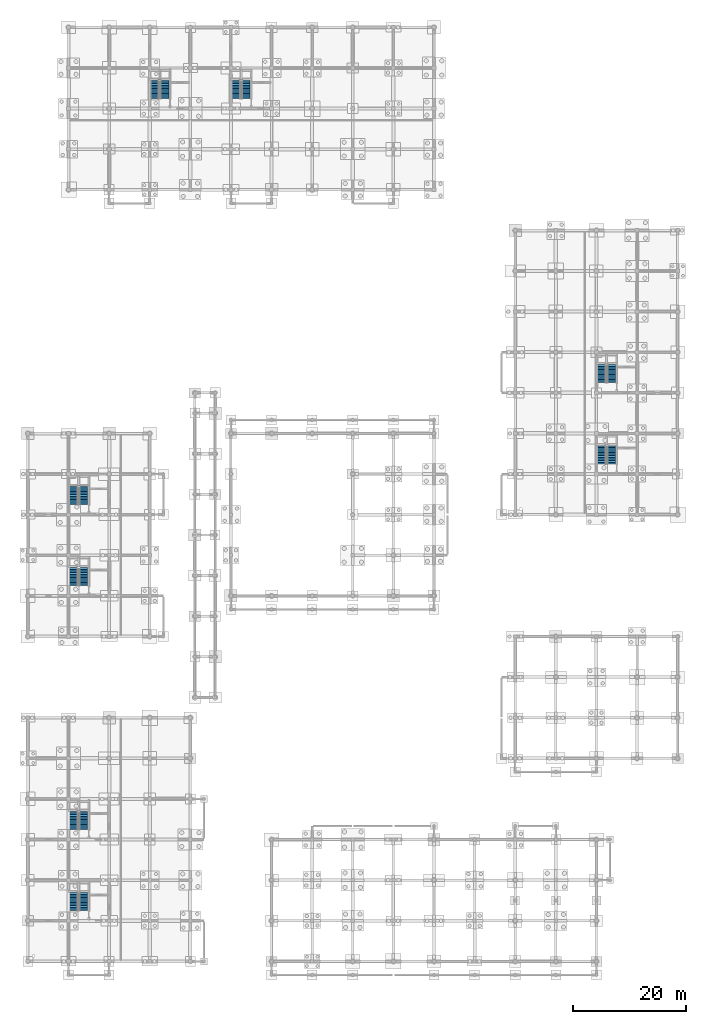
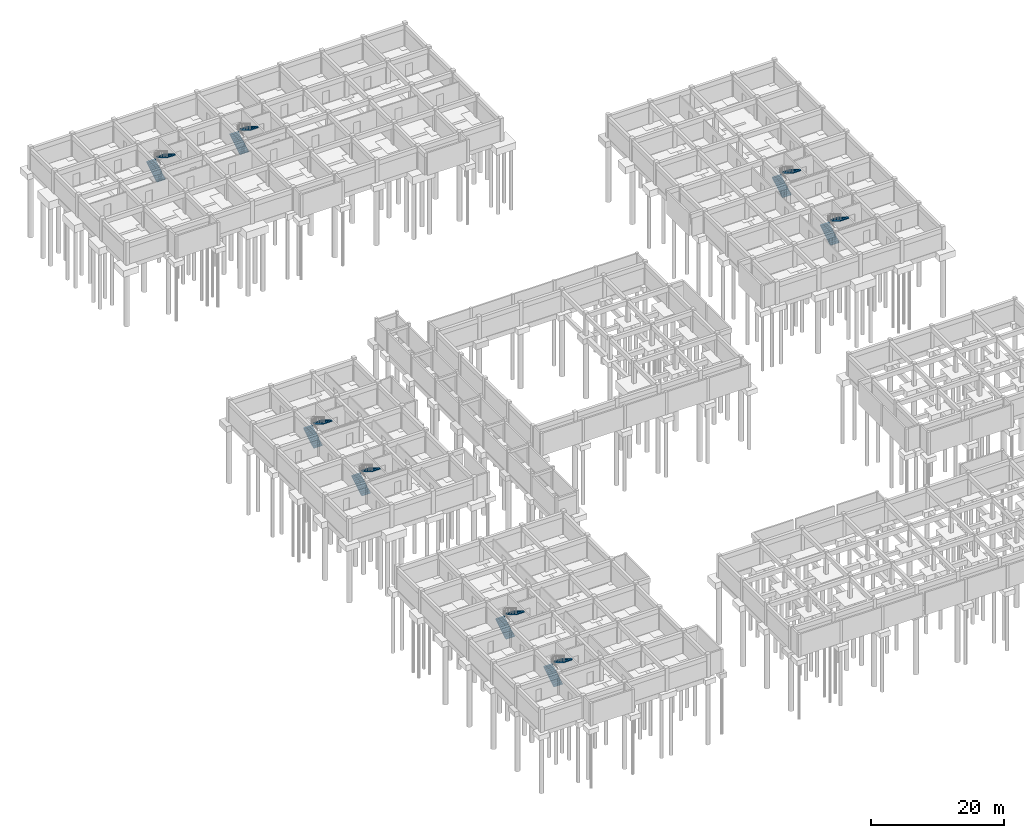
# One storey, part 34 of 38: 16 stair flights, 8 elements without a shape of their own.
"""IFC4 building model written with IfcOpenShell, lengths in metres."""

import ifcopenshell
import ifcopenshell.guid

model = None  # the IFC model being written
_history = None  # IfcOwnerHistory: only IFC2X3 demands one
_inside = {}  # id of a spatial element -> (the spatial element, [elements in it])
_under = {}  # id of a project, library or spatial element -> (it, [spatial elements below it])
_declared = {}  # id of a project -> (the project, [libraries it declares])
_typed = {}  # id of a type object -> (the type object, [elements of that type])
_made_of = {}  # id of a material, layer set ... -> (it, [elements and type objects made of it])


def new_model(schema):
    """Start an empty IFC model of exactly this schema.

    Asked for "IFC4X3", IfcOpenShell would pick the latest addendum, in which some entities
    have other attributes; the version numbers below select the first issue.
    IFC2X3 requires an IfcOwnerHistory on every rooted entity: one is made here for all.
    """
    global model, _history
    if schema == "IFC4X3":
        model = ifcopenshell.file(schema_version=(4, 3, 0, 0))
    else:
        model = ifcopenshell.file(schema=schema)
    _inside.clear()
    _under.clear()
    _declared.clear()
    _typed.clear()
    _made_of.clear()
    _history = None
    if model.schema == "IFC2X3":
        org = make("IfcOrganization", Name="unknown")
        user = make(
            "IfcPersonAndOrganization",
            ThePerson=make("IfcPerson", FamilyName="unknown"),
            TheOrganization=org,
        )
        app = make(
            "IfcApplication",
            ApplicationDeveloper=org,
            Version="unknown",
            ApplicationFullName="unknown",
            ApplicationIdentifier="unknown",
        )
        _history = make(
            "IfcOwnerHistory",
            OwningUser=user,
            OwningApplication=app,
            ChangeAction="ADDED",
            CreationDate=0,
        )
    return model


def make(cls, **values):
    """One entity of the class cls with the attributes given. An attribute that is None is left unset."""
    return model.create_entity(
        cls, **{name: value for name, value in values.items() if value is not None}
    )


def rooted(cls, **values):
    """An entity with a GlobalId (a new one), such as an element, a storey or a relation."""
    return make(cls, GlobalId=ifcopenshell.guid.new(), OwnerHistory=_history, **values)


def si_unit(unit_type, name, prefix=None):
    """IfcSIUnit, for example si_unit("LENGTHUNIT", "METRE", prefix="MILLI")."""
    return make("IfcSIUnit", UnitType=unit_type, Prefix=prefix, Name=name)


def assignment(units):
    """IfcUnitAssignment: the units of a project."""
    return None if units is None else make("IfcUnitAssignment", Units=units)


def point(xyz):
    """IfcCartesianPoint."""
    return None if xyz is None else make("IfcCartesianPoint", Coordinates=xyz)


def direction(xyz):
    """IfcDirection."""
    return None if xyz is None else make("IfcDirection", DirectionRatios=xyz)


def frame(location, z_axis=None, x_axis=None):
    """IfcAxis2Placement3D, a coordinate frame: its origin and axes. An axis left out is left unset."""
    return make(
        "IfcAxis2Placement3D",
        Location=point(location),
        Axis=direction(z_axis),
        RefDirection=direction(x_axis),
    )


def origin():
    """The frame at (0, 0, 0) with its axes left unset."""
    return frame((0.0, 0.0, 0.0))


def place(relative_to, where):
    """IfcLocalPlacement: puts the frame where relative to a parent placement (None: the world)."""
    return make(
        "IfcLocalPlacement", PlacementRelTo=relative_to, RelativePlacement=where
    )


def context(
    kind, dimensions, precision=None, world=None, true_north=None, identifier=None
):
    """IfcGeometricRepresentationContext, for example the 3D "Model" context."""
    return make(
        "IfcGeometricRepresentationContext",
        ContextIdentifier=identifier,
        ContextType=kind,
        CoordinateSpaceDimension=dimensions,
        Precision=precision,
        WorldCoordinateSystem=world,
        TrueNorth=true_north,
    )


def subcontext(parent, identifier, kind, view, scale=None):
    """IfcGeometricRepresentationSubContext, for example "Body" below "Model"."""
    return make(
        "IfcGeometricRepresentationSubContext",
        ContextIdentifier=identifier,
        ContextType=kind,
        ParentContext=parent,
        TargetScale=scale,
        TargetView=view,
    )


def project(units=None, contexts=None):
    """IfcProject with its units and contexts."""
    return rooted(
        "IfcProject",
        Name="project",
        RepresentationContexts=contexts,
        UnitsInContext=assignment(units),
    )


def spatial(cls, under=None, at=None, **own):
    """A site, building, storey or space (cls), placed at a placement, below another one or the project."""
    s = rooted(cls, ObjectPlacement=at, **own)
    if under is not None:
        _under.setdefault(under.id(), (under, []))[1].append(s)
    return s


def polyline(points):
    """IfcPolyline through the points."""
    return make("IfcPolyline", Points=[point(p) for p in points])


def outline(outer, holes=None, kind="AREA"):
    """IfcArbitraryClosedProfileDef: a profile drawn as a closed curve; with holes, ...WithVoids."""
    if holes is None:
        return make("IfcArbitraryClosedProfileDef", ProfileType=kind, OuterCurve=outer)
    return make(
        "IfcArbitraryProfileDefWithVoids",
        ProfileType=kind,
        OuterCurve=outer,
        InnerCurves=holes,
    )


def extrude(swept, where, along, depth):
    """IfcExtrudedAreaSolid: the profile swept, set in the frame where, extruded along a direction by depth."""
    return make(
        "IfcExtrudedAreaSolid",
        SweptArea=swept,
        Position=where,
        ExtrudedDirection=direction(along),
        Depth=depth,
    )


def shape(context_of_items, identifier, shape_type, items):
    """IfcShapeRepresentation: the items that make up one representation, for example the "Body"."""
    return make(
        "IfcShapeRepresentation",
        ContextOfItems=context_of_items,
        RepresentationIdentifier=identifier,
        RepresentationType=shape_type,
        Items=items,
    )


def material(Name=None, Category=None):
    """IfcMaterial."""
    return make("IfcMaterial", Name=Name, Category=Category)


def made_of(thing, what):
    """Note that an element or type object is made of a material, layer set ...; save() writes the relation."""
    if what is not None:
        _made_of.setdefault(what.id(), (what, []))[1].append(thing)
    return thing


def type_object(cls, material=None, **own):
    """A type object (cls), such as IfcWallType, which elements share."""
    return made_of(rooted(cls, **own), material)


def element(
    cls,
    number,
    at=None,
    inside=None,
    cuts=None,
    type_object=None,
    material=None,
    context=None,
    identifier="Body",
    shape_type=None,
    held_by="IfcProductDefinitionShape",
    body=None,
    shapes=None,
    **own,
):
    """One element of the class cls, such as IfcWall. Its Tag is "e" and its number.

    at: its placement. inside: the storey or other place that contains it. cuts: it is an
    opening in that element (IfcRelVoidsElement). A single representation is given by context,
    identifier, shape_type and body (its items); several are given by shapes. held_by: the class
    of the entity that holds the representations. save() writes the other relations.
    """
    e = rooted(cls, Tag="e%d" % number, ObjectPlacement=at, **own)
    if body is not None:
        shapes = [shape(context, identifier, shape_type, body)]
    if shapes is not None:
        e.Representation = make(held_by, Representations=shapes)
    if inside is not None:
        _inside.setdefault(inside.id(), (inside, []))[1].append(e)
    if cuts is not None:
        rooted(
            "IfcRelVoidsElement", RelatingBuildingElement=cuts, RelatedOpeningElement=e
        )
    if type_object is not None:
        _typed.setdefault(type_object.id(), (type_object, []))[1].append(e)
    return made_of(e, material)


def aggregate(whole, parts):
    """IfcRelAggregates: a whole, such as a stair, and the parts it consists of."""
    return rooted("IfcRelAggregates", RelatingObject=whole, RelatedObjects=parts)


def save(model, path):
    """Write the relations noted so far, then the file.

    IfcRelAggregates (storeys below a building ...), IfcRelContainedInSpatialStructure (elements
    in a storey), IfcRelDefinesByType, IfcRelAssociatesMaterial and IfcRelDeclares: one each for
    every whole, place, type object, material and project.
    """
    for whole, parts in _under.values():
        aggregate(whole, parts)
    for where, things in _inside.values():
        rooted(
            "IfcRelContainedInSpatialStructure",
            RelatedElements=things,
            RelatingStructure=where,
        )
    for kind, things in _typed.values():
        rooted("IfcRelDefinesByType", RelatedObjects=things, RelatingType=kind)
    for what, things in _made_of.values():
        rooted("IfcRelAssociatesMaterial", RelatedObjects=things, RelatingMaterial=what)
    for by, libraries in _declared.values():
        rooted("IfcRelDeclares", RelatingContext=by, RelatedDefinitions=libraries)
    model.write(path)


model = new_model("IFC4")

# Units and contexts
model_context = context("Model", 3, precision=1e-05, world=origin(), true_north=direction((0.0, 1.0)))
body_context = subcontext(model_context, "Body", "Model", "MODEL_VIEW")
ifc_project = project(units=[si_unit("LENGTHUNIT", "METRE"), si_unit("AREAUNIT", "SQUARE_METRE"), si_unit("VOLUMEUNIT", "CUBIC_METRE"), si_unit("PLANEANGLEUNIT", "RADIAN"), si_unit("MASSUNIT", "GRAM", prefix="KILO"), si_unit("THERMODYNAMICTEMPERATUREUNIT", "KELVIN"), si_unit("POWERUNIT", "WATT")], contexts=[model_context])

# Site, building, storey
site_placement = place(None, origin())
site = spatial("IfcSite", under=ifc_project, at=site_placement, CompositionType="ELEMENT")
building_placement = place(site_placement, origin())
building = spatial("IfcBuilding", under=site, at=building_placement, Name="Tavuni Mirador Residences", CompositionType="ELEMENT")
storey_placement = place(building_placement, frame((0.0, 0.0, -4.199951171875)))
storey = spatial("IfcBuildingStorey", under=building, at=storey_placement, Name="B1", CompositionType="ELEMENT", Elevation=-4.199951171875)

# Stair, stair flights
ifc_material = material(Name="Precast concrete C40/50", Category="concrete")
stair_type = type_object("IfcStairType", Name="STT-B1", PredefinedType="HALF_TURN_STAIR", material=ifc_material)
stair_1_placement = place(storey_placement, origin())
stair_1 = element("IfcStair", 1, at=stair_1_placement, inside=storey, type_object=stair_type, Name="Protected exit stair ST1 (B1)", PredefinedType="HALF_TURN_STAIR")
stair_flight_type = type_object("IfcStairFlightType", Name="SFT-1500", PredefinedType="STRAIGHT", material=ifc_material)
stair_flight_1_placement = place(storey_placement, frame((11.75, 16.199951171875, 0.0), z_axis=(0.0, 0.0, 1.0), x_axis=(0.0, 1.0, 0.0)))
stair_flight_1 = element("IfcStairFlight", 2, at=stair_flight_1_placement, type_object=stair_flight_type, Name="ST1 flight 1", NumberOfRisers=12, NumberOfTreads=11, PredefinedType="STRAIGHT", RiserHeight=0.175, TreadLength=0.29, context=body_context, shape_type="SweptSolid", body=[
    extrude(outline(polyline([(0.0, 0.0), (0.0, 0.175048828125), (0.2900390625, 0.175048828125), (0.2900390625, 0.35009765625), (0.580078125, 0.35009765625), (0.580078125, 0.52490234375), (0.8701171875, 0.52490234375), (0.8701171875, 0.699951171875), (1.159912109375, 0.699951171875), (1.159912109375, 0.875), (1.449951171875, 0.875), (1.449951171875, 1.050048828125), (1.739990234375, 1.050048828125), (1.739990234375, 1.22509765625), (2.030029296875, 1.22509765625), (2.030029296875, 1.39990234375), (2.320068359375, 1.39990234375), (2.320068359375, 1.574951171875), (2.610107421875, 1.574951171875), (2.610107421875, 1.75), (2.89990234375, 1.75), (2.89990234375, 1.925048828125), (3.18994140625, 1.925048828125), (3.18994140625, 2.10009765625), (3.18994140625, 1.73828125), (0.3095703125, 0.0), (0.0, 0.0)])), frame((0.0, 0.75, 0.0), z_axis=(0.0, -1.0, 0.0), x_axis=(1.0, 0.0, 0.0)), (0.0, 0.0, 1.0), 1.5),
])
stair_flight_2_placement = place(storey_placement, frame((13.449951171875, 19.389892578125, 2.099853515625), z_axis=(0.0, 0.0, 1.0), x_axis=(0.0, -1.0, 0.0)))
stair_flight_2 = element("IfcStairFlight", 3, at=stair_flight_2_placement, type_object=stair_flight_type, Name="ST1 flight 2", NumberOfRisers=12, NumberOfTreads=11, PredefinedType="STRAIGHT", RiserHeight=0.175, TreadLength=0.29, context=body_context, shape_type="SweptSolid", body=[
    extrude(outline(polyline([(0.0, 0.0), (0.0, 0.175048828125), (0.2900390625, 0.175048828125), (0.2900390625, 0.35009765625), (0.580078125, 0.35009765625), (0.580078125, 0.52490234375), (0.8701171875, 0.52490234375), (0.8701171875, 0.699951171875), (1.159912109375, 0.699951171875), (1.159912109375, 0.875), (1.449951171875, 0.875), (1.449951171875, 1.050048828125), (1.739990234375, 1.050048828125), (1.739990234375, 1.22509765625), (2.030029296875, 1.22509765625), (2.030029296875, 1.39990234375), (2.320068359375, 1.39990234375), (2.320068359375, 1.574951171875), (2.610107421875, 1.574951171875), (2.610107421875, 1.75), (2.89990234375, 1.75), (2.89990234375, 1.925048828125), (3.18994140625, 1.925048828125), (3.18994140625, 2.10009765625), (3.18994140625, 1.73828125), (0.3095703125, 0.0), (0.0, 0.0)])), frame((0.0, 0.75, 0.0), z_axis=(0.0, -1.0, 0.0), x_axis=(1.0, 0.0, 0.0)), (0.0, 0.0, 1.0), 1.5),
])
aggregate(stair_1, [stair_flight_1, stair_flight_2])

stair_2_placement = place(storey_placement, origin())
stair_2 = element("IfcStair", 4, at=stair_2_placement, inside=storey, type_object=stair_type, Name="Protected exit stair ST2 (B1)", PredefinedType="HALF_TURN_STAIR")
stair_flight_3_placement = place(storey_placement, frame((11.75, 30.60009765625, 0.0), z_axis=(0.0, 0.0, 1.0), x_axis=(0.0, 1.0, 0.0)))
stair_flight_3 = element("IfcStairFlight", 5, at=stair_flight_3_placement, type_object=stair_flight_type, Name="ST2 flight 1", NumberOfRisers=12, NumberOfTreads=11, PredefinedType="STRAIGHT", RiserHeight=0.175, TreadLength=0.29, context=body_context, shape_type="SweptSolid", body=[
    extrude(outline(polyline([(0.0, 0.0), (0.0, 0.175048828125), (0.2900390625, 0.175048828125), (0.2900390625, 0.35009765625), (0.580078125, 0.35009765625), (0.580078125, 0.52490234375), (0.8701171875, 0.52490234375), (0.8701171875, 0.699951171875), (1.159912109375, 0.699951171875), (1.159912109375, 0.875), (1.449951171875, 0.875), (1.449951171875, 1.050048828125), (1.739990234375, 1.050048828125), (1.739990234375, 1.22509765625), (2.030029296875, 1.22509765625), (2.030029296875, 1.39990234375), (2.320068359375, 1.39990234375), (2.320068359375, 1.574951171875), (2.610107421875, 1.574951171875), (2.610107421875, 1.75), (2.89990234375, 1.75), (2.89990234375, 1.925048828125), (3.18994140625, 1.925048828125), (3.18994140625, 2.10009765625), (3.18994140625, 1.73828125), (0.3095703125, 0.0), (0.0, 0.0)])), frame((0.0, 0.75, 0.0), z_axis=(0.0, -1.0, 0.0), x_axis=(1.0, 0.0, 0.0)), (0.0, 0.0, 1.0), 1.5),
])
stair_flight_4_placement = place(storey_placement, frame((13.449951171875, 33.7900390625, 2.099853515625), z_axis=(0.0, 0.0, 1.0), x_axis=(0.0, -1.0, 0.0)))
stair_flight_4 = element("IfcStairFlight", 6, at=stair_flight_4_placement, type_object=stair_flight_type, Name="ST2 flight 2", NumberOfRisers=12, NumberOfTreads=11, PredefinedType="STRAIGHT", RiserHeight=0.175, TreadLength=0.29, context=body_context, shape_type="SweptSolid", body=[
    extrude(outline(polyline([(0.0, 0.0), (0.0, 0.175048828125), (0.2900390625, 0.175048828125), (0.2900390625, 0.35009765625), (0.580078125, 0.35009765625), (0.580078125, 0.52490234375), (0.8701171875, 0.52490234375), (0.8701171875, 0.699951171875), (1.159912109375, 0.699951171875), (1.159912109375, 0.875), (1.449951171875, 0.875), (1.449951171875, 1.050048828125), (1.739990234375, 1.050048828125), (1.739990234375, 1.22509765625), (2.030029296875, 1.22509765625), (2.030029296875, 1.39990234375), (2.320068359375, 1.39990234375), (2.320068359375, 1.574951171875), (2.610107421875, 1.574951171875), (2.610107421875, 1.75), (2.89990234375, 1.75), (2.89990234375, 1.925048828125), (3.18994140625, 1.925048828125), (3.18994140625, 2.10009765625), (3.18994140625, 1.73828125), (0.3095703125, 0.0), (0.0, 0.0)])), frame((0.0, 0.75, 0.0), z_axis=(0.0, -1.0, 0.0), x_axis=(1.0, 0.0, 0.0)), (0.0, 0.0, 1.0), 1.5),
])
aggregate(stair_2, [stair_flight_3, stair_flight_4])

stair_3_placement = place(storey_placement, origin())
stair_3 = element("IfcStair", 7, at=stair_3_placement, inside=storey, type_object=stair_type, Name="Protected exit stair ST3 (B1)", PredefinedType="HALF_TURN_STAIR")
stair_flight_5_placement = place(storey_placement, frame((11.75, 73.800048828125, 0.0), z_axis=(0.0, 0.0, 1.0), x_axis=(0.0, 1.0, 0.0)))
stair_flight_5 = element("IfcStairFlight", 8, at=stair_flight_5_placement, type_object=stair_flight_type, Name="ST3 flight 1", NumberOfRisers=12, NumberOfTreads=11, PredefinedType="STRAIGHT", RiserHeight=0.175, TreadLength=0.29, context=body_context, shape_type="SweptSolid", body=[
    extrude(outline(polyline([(0.0, 0.0), (0.0, 0.175048828125), (0.2900390625, 0.175048828125), (0.2900390625, 0.35009765625), (0.580078125, 0.35009765625), (0.580078125, 0.52490234375), (0.8701171875, 0.52490234375), (0.8701171875, 0.699951171875), (1.159912109375, 0.699951171875), (1.159912109375, 0.875), (1.449951171875, 0.875), (1.449951171875, 1.050048828125), (1.739990234375, 1.050048828125), (1.739990234375, 1.22509765625), (2.030029296875, 1.22509765625), (2.030029296875, 1.39990234375), (2.320068359375, 1.39990234375), (2.320068359375, 1.574951171875), (2.610107421875, 1.574951171875), (2.610107421875, 1.75), (2.89990234375, 1.75), (2.89990234375, 1.925048828125), (3.18994140625, 1.925048828125), (3.18994140625, 2.10009765625), (3.18994140625, 1.73828125), (0.3095703125, 0.0), (0.0, 0.0)])), frame((0.0, 0.75, 0.0), z_axis=(0.0, -1.0, 0.0), x_axis=(1.0, 0.0, 0.0)), (0.0, 0.0, 1.0), 1.5),
])
stair_flight_6_placement = place(storey_placement, frame((13.449951171875, 76.989990234375, 2.099853515625), z_axis=(0.0, 0.0, 1.0), x_axis=(0.0, -1.0, 0.0)))
stair_flight_6 = element("IfcStairFlight", 9, at=stair_flight_6_placement, type_object=stair_flight_type, Name="ST3 flight 2", NumberOfRisers=12, NumberOfTreads=11, PredefinedType="STRAIGHT", RiserHeight=0.175, TreadLength=0.29, context=body_context, shape_type="SweptSolid", body=[
    extrude(outline(polyline([(0.0, 0.0), (0.0, 0.175048828125), (0.2900390625, 0.175048828125), (0.2900390625, 0.35009765625), (0.580078125, 0.35009765625), (0.580078125, 0.52490234375), (0.8701171875, 0.52490234375), (0.8701171875, 0.699951171875), (1.159912109375, 0.699951171875), (1.159912109375, 0.875), (1.449951171875, 0.875), (1.449951171875, 1.050048828125), (1.739990234375, 1.050048828125), (1.739990234375, 1.22509765625), (2.030029296875, 1.22509765625), (2.030029296875, 1.39990234375), (2.320068359375, 1.39990234375), (2.320068359375, 1.574951171875), (2.610107421875, 1.574951171875), (2.610107421875, 1.75), (2.89990234375, 1.75), (2.89990234375, 1.925048828125), (3.18994140625, 1.925048828125), (3.18994140625, 2.10009765625), (3.18994140625, 1.73828125), (0.3095703125, 0.0), (0.0, 0.0)])), frame((0.0, 0.75, 0.0), z_axis=(0.0, -1.0, 0.0), x_axis=(1.0, 0.0, 0.0)), (0.0, 0.0, 1.0), 1.5),
])
aggregate(stair_3, [stair_flight_5, stair_flight_6])

stair_4_placement = place(storey_placement, origin())
stair_4 = element("IfcStair", 10, at=stair_4_placement, inside=storey, type_object=stair_type, Name="Protected exit stair ST4 (B1)", PredefinedType="HALF_TURN_STAIR")
stair_flight_7_placement = place(storey_placement, frame((11.75, 88.199951171875, 0.0), z_axis=(0.0, 0.0, 1.0), x_axis=(0.0, 1.0, 0.0)))
stair_flight_7 = element("IfcStairFlight", 11, at=stair_flight_7_placement, type_object=stair_flight_type, Name="ST4 flight 1", NumberOfRisers=12, NumberOfTreads=11, PredefinedType="STRAIGHT", RiserHeight=0.175, TreadLength=0.29, context=body_context, shape_type="SweptSolid", body=[
    extrude(outline(polyline([(0.0, 0.0), (0.0, 0.175048828125), (0.2900390625, 0.175048828125), (0.2900390625, 0.35009765625), (0.580078125, 0.35009765625), (0.580078125, 0.52490234375), (0.8701171875, 0.52490234375), (0.8701171875, 0.699951171875), (1.159912109375, 0.699951171875), (1.159912109375, 0.875), (1.449951171875, 0.875), (1.449951171875, 1.050048828125), (1.739990234375, 1.050048828125), (1.739990234375, 1.22509765625), (2.030029296875, 1.22509765625), (2.030029296875, 1.39990234375), (2.320068359375, 1.39990234375), (2.320068359375, 1.574951171875), (2.610107421875, 1.574951171875), (2.610107421875, 1.75), (2.89990234375, 1.75), (2.89990234375, 1.925048828125), (3.18994140625, 1.925048828125), (3.18994140625, 2.10009765625), (3.18994140625, 1.73828125), (0.3095703125, 0.0), (0.0, 0.0)])), frame((0.0, 0.75, 0.0), z_axis=(0.0, -1.0, 0.0), x_axis=(1.0, 0.0, 0.0)), (0.0, 0.0, 1.0), 1.5),
])
stair_flight_8_placement = place(storey_placement, frame((13.449951171875, 91.389892578125, 2.099853515625), z_axis=(0.0, 0.0, 1.0), x_axis=(0.0, -1.0, 0.0)))
stair_flight_8 = element("IfcStairFlight", 12, at=stair_flight_8_placement, type_object=stair_flight_type, Name="ST4 flight 2", NumberOfRisers=12, NumberOfTreads=11, PredefinedType="STRAIGHT", RiserHeight=0.175, TreadLength=0.29, context=body_context, shape_type="SweptSolid", body=[
    extrude(outline(polyline([(0.0, 0.0), (0.0, 0.175048828125), (0.2900390625, 0.175048828125), (0.2900390625, 0.35009765625), (0.580078125, 0.35009765625), (0.580078125, 0.52490234375), (0.8701171875, 0.52490234375), (0.8701171875, 0.699951171875), (1.159912109375, 0.699951171875), (1.159912109375, 0.875), (1.449951171875, 0.875), (1.449951171875, 1.050048828125), (1.739990234375, 1.050048828125), (1.739990234375, 1.22509765625), (2.030029296875, 1.22509765625), (2.030029296875, 1.39990234375), (2.320068359375, 1.39990234375), (2.320068359375, 1.574951171875), (2.610107421875, 1.574951171875), (2.610107421875, 1.75), (2.89990234375, 1.75), (2.89990234375, 1.925048828125), (3.18994140625, 1.925048828125), (3.18994140625, 2.10009765625), (3.18994140625, 1.73828125), (0.3095703125, 0.0), (0.0, 0.0)])), frame((0.0, 0.75, 0.0), z_axis=(0.0, -1.0, 0.0), x_axis=(1.0, 0.0, 0.0)), (0.0, 0.0, 1.0), 1.5),
])
aggregate(stair_4, [stair_flight_7, stair_flight_8])

stair_5_placement = place(storey_placement, origin())
stair_5 = element("IfcStair", 13, at=stair_5_placement, inside=storey, type_object=stair_type, Name="Protected exit stair ST5 (B1)", PredefinedType="HALF_TURN_STAIR")
stair_flight_9_placement = place(storey_placement, frame((26.14990234375, 160.199951171875, 0.0), z_axis=(0.0, 0.0, 1.0), x_axis=(0.0, 1.0, 0.0)))
stair_flight_9 = element("IfcStairFlight", 14, at=stair_flight_9_placement, type_object=stair_flight_type, Name="ST5 flight 1", NumberOfRisers=12, NumberOfTreads=11, PredefinedType="STRAIGHT", RiserHeight=0.175, TreadLength=0.29, context=body_context, shape_type="SweptSolid", body=[
    extrude(outline(polyline([(0.0, 0.0), (0.0, 0.175048828125), (0.2900390625, 0.175048828125), (0.2900390625, 0.35009765625), (0.580078125, 0.35009765625), (0.580078125, 0.52490234375), (0.8701171875, 0.52490234375), (0.8701171875, 0.699951171875), (1.159912109375, 0.699951171875), (1.159912109375, 0.875), (1.449951171875, 0.875), (1.449951171875, 1.050048828125), (1.739990234375, 1.050048828125), (1.739990234375, 1.22509765625), (2.030029296875, 1.22509765625), (2.030029296875, 1.39990234375), (2.320068359375, 1.39990234375), (2.320068359375, 1.574951171875), (2.610107421875, 1.574951171875), (2.610107421875, 1.75), (2.89990234375, 1.75), (2.89990234375, 1.925048828125), (3.18994140625, 1.925048828125), (3.18994140625, 2.10009765625), (3.18994140625, 1.73828125), (0.3095703125, 0.0), (0.0, 0.0)])), frame((0.0, 0.75, 0.0), z_axis=(0.0, -1.0, 0.0), x_axis=(1.0, 0.0, 0.0)), (0.0, 0.0, 1.0), 1.5),
])
stair_flight_10_placement = place(storey_placement, frame((27.85009765625, 163.389892578125, 2.099853515625), z_axis=(0.0, 0.0, 1.0), x_axis=(0.0, -1.0, 0.0)))
stair_flight_10 = element("IfcStairFlight", 15, at=stair_flight_10_placement, type_object=stair_flight_type, Name="ST5 flight 2", NumberOfRisers=12, NumberOfTreads=11, PredefinedType="STRAIGHT", RiserHeight=0.175, TreadLength=0.29, context=body_context, shape_type="SweptSolid", body=[
    extrude(outline(polyline([(0.0, 0.0), (0.0, 0.175048828125), (0.2900390625, 0.175048828125), (0.2900390625, 0.35009765625), (0.580078125, 0.35009765625), (0.580078125, 0.52490234375), (0.8701171875, 0.52490234375), (0.8701171875, 0.699951171875), (1.159912109375, 0.699951171875), (1.159912109375, 0.875), (1.449951171875, 0.875), (1.449951171875, 1.050048828125), (1.739990234375, 1.050048828125), (1.739990234375, 1.22509765625), (2.030029296875, 1.22509765625), (2.030029296875, 1.39990234375), (2.320068359375, 1.39990234375), (2.320068359375, 1.574951171875), (2.610107421875, 1.574951171875), (2.610107421875, 1.75), (2.89990234375, 1.75), (2.89990234375, 1.925048828125), (3.18994140625, 1.925048828125), (3.18994140625, 2.10009765625), (3.18994140625, 1.73828125), (0.3095703125, 0.0), (0.0, 0.0)])), frame((0.0, 0.75, 0.0), z_axis=(0.0, -1.0, 0.0), x_axis=(1.0, 0.0, 0.0)), (0.0, 0.0, 1.0), 1.5),
])
aggregate(stair_5, [stair_flight_9, stair_flight_10])

stair_6_placement = place(storey_placement, origin())
stair_6 = element("IfcStair", 16, at=stair_6_placement, inside=storey, type_object=stair_type, Name="Protected exit stair ST6 (B1)", PredefinedType="HALF_TURN_STAIR")
stair_flight_11_placement = place(storey_placement, frame((40.550048828125, 160.199951171875, 0.0), z_axis=(0.0, 0.0, 1.0), x_axis=(0.0, 1.0, 0.0)))
stair_flight_11 = element("IfcStairFlight", 17, at=stair_flight_11_placement, type_object=stair_flight_type, Name="ST6 flight 1", NumberOfRisers=12, NumberOfTreads=11, PredefinedType="STRAIGHT", RiserHeight=0.175, TreadLength=0.29, context=body_context, shape_type="SweptSolid", body=[
    extrude(outline(polyline([(0.0, 0.0), (0.0, 0.175048828125), (0.2900390625, 0.175048828125), (0.2900390625, 0.35009765625), (0.580078125, 0.35009765625), (0.580078125, 0.52490234375), (0.8701171875, 0.52490234375), (0.8701171875, 0.699951171875), (1.159912109375, 0.699951171875), (1.159912109375, 0.875), (1.449951171875, 0.875), (1.449951171875, 1.050048828125), (1.739990234375, 1.050048828125), (1.739990234375, 1.22509765625), (2.030029296875, 1.22509765625), (2.030029296875, 1.39990234375), (2.320068359375, 1.39990234375), (2.320068359375, 1.574951171875), (2.610107421875, 1.574951171875), (2.610107421875, 1.75), (2.89990234375, 1.75), (2.89990234375, 1.925048828125), (3.18994140625, 1.925048828125), (3.18994140625, 2.10009765625), (3.18994140625, 1.73828125), (0.3095703125, 0.0), (0.0, 0.0)])), frame((0.0, 0.75, 0.0), z_axis=(0.0, -1.0, 0.0), x_axis=(1.0, 0.0, 0.0)), (0.0, 0.0, 1.0), 1.5),
])
stair_flight_12_placement = place(storey_placement, frame((42.25, 163.389892578125, 2.099853515625), z_axis=(0.0, 0.0, 1.0), x_axis=(0.0, -1.0, 0.0)))
stair_flight_12 = element("IfcStairFlight", 18, at=stair_flight_12_placement, type_object=stair_flight_type, Name="ST6 flight 2", NumberOfRisers=12, NumberOfTreads=11, PredefinedType="STRAIGHT", RiserHeight=0.175, TreadLength=0.29, context=body_context, shape_type="SweptSolid", body=[
    extrude(outline(polyline([(0.0, 0.0), (0.0, 0.175048828125), (0.2900390625, 0.175048828125), (0.2900390625, 0.35009765625), (0.580078125, 0.35009765625), (0.580078125, 0.52490234375), (0.8701171875, 0.52490234375), (0.8701171875, 0.699951171875), (1.159912109375, 0.699951171875), (1.159912109375, 0.875), (1.449951171875, 0.875), (1.449951171875, 1.050048828125), (1.739990234375, 1.050048828125), (1.739990234375, 1.22509765625), (2.030029296875, 1.22509765625), (2.030029296875, 1.39990234375), (2.320068359375, 1.39990234375), (2.320068359375, 1.574951171875), (2.610107421875, 1.574951171875), (2.610107421875, 1.75), (2.89990234375, 1.75), (2.89990234375, 1.925048828125), (3.18994140625, 1.925048828125), (3.18994140625, 2.10009765625), (3.18994140625, 1.73828125), (0.3095703125, 0.0), (0.0, 0.0)])), frame((0.0, 0.75, 0.0), z_axis=(0.0, -1.0, 0.0), x_axis=(1.0, 0.0, 0.0)), (0.0, 0.0, 1.0), 1.5),
])
aggregate(stair_6, [stair_flight_11, stair_flight_12])

stair_7_placement = place(storey_placement, origin())
stair_7 = element("IfcStair", 19, at=stair_7_placement, inside=storey, type_object=stair_type, Name="Protected exit stair ST7 (B1)", PredefinedType="HALF_TURN_STAIR")
stair_flight_13_placement = place(storey_placement, frame((105.35009765625, 95.39990234375, 0.0), z_axis=(0.0, 0.0, 1.0), x_axis=(0.0, 1.0, 0.0)))
stair_flight_13 = element("IfcStairFlight", 20, at=stair_flight_13_placement, type_object=stair_flight_type, Name="ST7 flight 1", NumberOfRisers=12, NumberOfTreads=11, PredefinedType="STRAIGHT", RiserHeight=0.175, TreadLength=0.29, context=body_context, shape_type="SweptSolid", body=[
    extrude(outline(polyline([(0.0, 0.0), (0.0, 0.175048828125), (0.2900390625, 0.175048828125), (0.2900390625, 0.35009765625), (0.580078125, 0.35009765625), (0.580078125, 0.52490234375), (0.8701171875, 0.52490234375), (0.8701171875, 0.699951171875), (1.159912109375, 0.699951171875), (1.159912109375, 0.875), (1.449951171875, 0.875), (1.449951171875, 1.050048828125), (1.739990234375, 1.050048828125), (1.739990234375, 1.22509765625), (2.030029296875, 1.22509765625), (2.030029296875, 1.39990234375), (2.320068359375, 1.39990234375), (2.320068359375, 1.574951171875), (2.610107421875, 1.574951171875), (2.610107421875, 1.75), (2.89990234375, 1.75), (2.89990234375, 1.925048828125), (3.18994140625, 1.925048828125), (3.18994140625, 2.10009765625), (3.18994140625, 1.73828125), (0.3095703125, 0.0), (0.0, 0.0)])), frame((0.0, 0.75, 0.0), z_axis=(0.0, -1.0, 0.0), x_axis=(1.0, 0.0, 0.0)), (0.0, 0.0, 1.0), 1.5),
])
stair_flight_14_placement = place(storey_placement, frame((107.050048828125, 98.590087890625, 2.099853515625), z_axis=(0.0, 0.0, 1.0), x_axis=(0.0, -1.0, 0.0)))
stair_flight_14 = element("IfcStairFlight", 21, at=stair_flight_14_placement, type_object=stair_flight_type, Name="ST7 flight 2", NumberOfRisers=12, NumberOfTreads=11, PredefinedType="STRAIGHT", RiserHeight=0.175, TreadLength=0.29, context=body_context, shape_type="SweptSolid", body=[
    extrude(outline(polyline([(0.0, 0.0), (0.0, 0.175048828125), (0.2900390625, 0.175048828125), (0.2900390625, 0.35009765625), (0.580078125, 0.35009765625), (0.580078125, 0.52490234375), (0.8701171875, 0.52490234375), (0.8701171875, 0.699951171875), (1.159912109375, 0.699951171875), (1.159912109375, 0.875), (1.449951171875, 0.875), (1.449951171875, 1.050048828125), (1.739990234375, 1.050048828125), (1.739990234375, 1.22509765625), (2.030029296875, 1.22509765625), (2.030029296875, 1.39990234375), (2.320068359375, 1.39990234375), (2.320068359375, 1.574951171875), (2.610107421875, 1.574951171875), (2.610107421875, 1.75), (2.89990234375, 1.75), (2.89990234375, 1.925048828125), (3.18994140625, 1.925048828125), (3.18994140625, 2.10009765625), (3.18994140625, 1.73828125), (0.3095703125, 0.0), (0.0, 0.0)])), frame((0.0, 0.75, 0.0), z_axis=(0.0, -1.0, 0.0), x_axis=(1.0, 0.0, 0.0)), (0.0, 0.0, 1.0), 1.5),
])
aggregate(stair_7, [stair_flight_13, stair_flight_14])

stair_8_placement = place(storey_placement, origin())
stair_8 = element("IfcStair", 22, at=stair_8_placement, inside=storey, type_object=stair_type, Name="Protected exit stair ST8 (B1)", PredefinedType="HALF_TURN_STAIR")
stair_flight_15_placement = place(storey_placement, frame((105.35009765625, 109.800048828125, 0.0), z_axis=(0.0, 0.0, 1.0), x_axis=(0.0, 1.0, 0.0)))
stair_flight_15 = element("IfcStairFlight", 23, at=stair_flight_15_placement, type_object=stair_flight_type, Name="ST8 flight 1", NumberOfRisers=12, NumberOfTreads=11, PredefinedType="STRAIGHT", RiserHeight=0.175, TreadLength=0.29, context=body_context, shape_type="SweptSolid", body=[
    extrude(outline(polyline([(0.0, 0.0), (0.0, 0.175048828125), (0.2900390625, 0.175048828125), (0.2900390625, 0.35009765625), (0.580078125, 0.35009765625), (0.580078125, 0.52490234375), (0.8701171875, 0.52490234375), (0.8701171875, 0.699951171875), (1.159912109375, 0.699951171875), (1.159912109375, 0.875), (1.449951171875, 0.875), (1.449951171875, 1.050048828125), (1.739990234375, 1.050048828125), (1.739990234375, 1.22509765625), (2.030029296875, 1.22509765625), (2.030029296875, 1.39990234375), (2.320068359375, 1.39990234375), (2.320068359375, 1.574951171875), (2.610107421875, 1.574951171875), (2.610107421875, 1.75), (2.89990234375, 1.75), (2.89990234375, 1.925048828125), (3.18994140625, 1.925048828125), (3.18994140625, 2.10009765625), (3.18994140625, 1.73828125), (0.3095703125, 0.0), (0.0, 0.0)])), frame((0.0, 0.75, 0.0), z_axis=(0.0, -1.0, 0.0), x_axis=(1.0, 0.0, 0.0)), (0.0, 0.0, 1.0), 1.5),
])
stair_flight_16_placement = place(storey_placement, frame((107.050048828125, 112.989990234375, 2.099853515625), z_axis=(0.0, 0.0, 1.0), x_axis=(0.0, -1.0, 0.0)))
stair_flight_16 = element("IfcStairFlight", 24, at=stair_flight_16_placement, type_object=stair_flight_type, Name="ST8 flight 2", NumberOfRisers=12, NumberOfTreads=11, PredefinedType="STRAIGHT", RiserHeight=0.175, TreadLength=0.29, context=body_context, shape_type="SweptSolid", body=[
    extrude(outline(polyline([(0.0, 0.0), (0.0, 0.175048828125), (0.2900390625, 0.175048828125), (0.2900390625, 0.35009765625), (0.580078125, 0.35009765625), (0.580078125, 0.52490234375), (0.8701171875, 0.52490234375), (0.8701171875, 0.699951171875), (1.159912109375, 0.699951171875), (1.159912109375, 0.875), (1.449951171875, 0.875), (1.449951171875, 1.050048828125), (1.739990234375, 1.050048828125), (1.739990234375, 1.22509765625), (2.030029296875, 1.22509765625), (2.030029296875, 1.39990234375), (2.320068359375, 1.39990234375), (2.320068359375, 1.574951171875), (2.610107421875, 1.574951171875), (2.610107421875, 1.75), (2.89990234375, 1.75), (2.89990234375, 1.925048828125), (3.18994140625, 1.925048828125), (3.18994140625, 2.10009765625), (3.18994140625, 1.73828125), (0.3095703125, 0.0), (0.0, 0.0)])), frame((0.0, 0.75, 0.0), z_axis=(0.0, -1.0, 0.0), x_axis=(1.0, 0.0, 0.0)), (0.0, 0.0, 1.0), 1.5),
])
aggregate(stair_8, [stair_flight_15, stair_flight_16])

save(model, "model.ifc")
